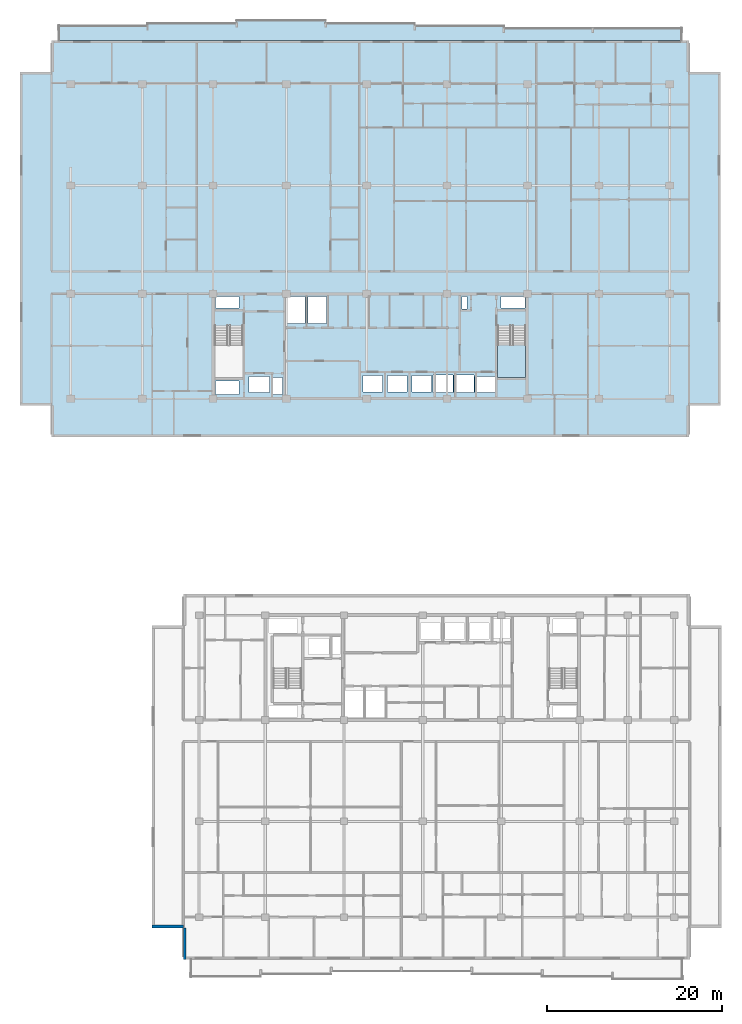
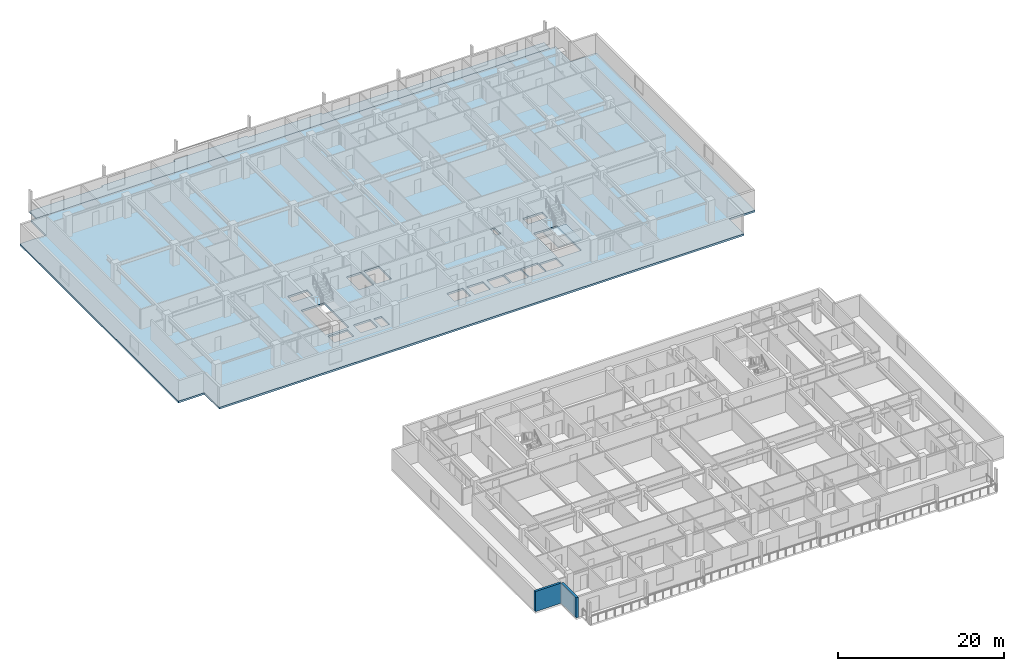
# One storey, part 3 of 22: 3 slabs, 2 walls, 1 element without a shape of its own.
"""IFC4 building model written with IfcOpenShell, lengths in metres."""

import ifcopenshell
import ifcopenshell.guid

model = None  # the IFC model being written
_history = None  # IfcOwnerHistory: only IFC2X3 demands one
_inside = {}  # id of a spatial element -> (the spatial element, [elements in it])
_under = {}  # id of a project, library or spatial element -> (it, [spatial elements below it])
_declared = {}  # id of a project -> (the project, [libraries it declares])
_typed = {}  # id of a type object -> (the type object, [elements of that type])
_made_of = {}  # id of a material, layer set ... -> (it, [elements and type objects made of it])


def new_model(schema):
    """Start an empty IFC model of exactly this schema.

    Asked for "IFC4X3", IfcOpenShell would pick the latest addendum, in which some entities
    have other attributes; the version numbers below select the first issue.
    IFC2X3 requires an IfcOwnerHistory on every rooted entity: one is made here for all.
    """
    global model, _history
    if schema == "IFC4X3":
        model = ifcopenshell.file(schema_version=(4, 3, 0, 0))
    else:
        model = ifcopenshell.file(schema=schema)
    _inside.clear()
    _under.clear()
    _declared.clear()
    _typed.clear()
    _made_of.clear()
    _history = None
    if model.schema == "IFC2X3":
        org = make("IfcOrganization", Name="unknown")
        user = make(
            "IfcPersonAndOrganization",
            ThePerson=make("IfcPerson", FamilyName="unknown"),
            TheOrganization=org,
        )
        app = make(
            "IfcApplication",
            ApplicationDeveloper=org,
            Version="unknown",
            ApplicationFullName="unknown",
            ApplicationIdentifier="unknown",
        )
        _history = make(
            "IfcOwnerHistory",
            OwningUser=user,
            OwningApplication=app,
            ChangeAction="ADDED",
            CreationDate=0,
        )
    return model


def make(cls, **values):
    """One entity of the class cls with the attributes given. An attribute that is None is left unset."""
    return model.create_entity(
        cls, **{name: value for name, value in values.items() if value is not None}
    )


def rooted(cls, **values):
    """An entity with a GlobalId (a new one), such as an element, a storey or a relation."""
    return make(cls, GlobalId=ifcopenshell.guid.new(), OwnerHistory=_history, **values)


def si_unit(unit_type, name, prefix=None):
    """IfcSIUnit, for example si_unit("LENGTHUNIT", "METRE", prefix="MILLI")."""
    return make("IfcSIUnit", UnitType=unit_type, Prefix=prefix, Name=name)


def assignment(units):
    """IfcUnitAssignment: the units of a project."""
    return None if units is None else make("IfcUnitAssignment", Units=units)


def point(xyz):
    """IfcCartesianPoint."""
    return None if xyz is None else make("IfcCartesianPoint", Coordinates=xyz)


def direction(xyz):
    """IfcDirection."""
    return None if xyz is None else make("IfcDirection", DirectionRatios=xyz)


def frame(location, z_axis=None, x_axis=None):
    """IfcAxis2Placement3D, a coordinate frame: its origin and axes. An axis left out is left unset."""
    return make(
        "IfcAxis2Placement3D",
        Location=point(location),
        Axis=direction(z_axis),
        RefDirection=direction(x_axis),
    )


def frame_2d(location, x_axis=None):
    """IfcAxis2Placement2D, a coordinate frame in the plane: its origin and x axis."""
    return make(
        "IfcAxis2Placement2D", Location=point(location), RefDirection=direction(x_axis)
    )


def origin():
    """The frame at (0, 0, 0) with its axes left unset."""
    return frame((0.0, 0.0, 0.0))


def place(relative_to, where):
    """IfcLocalPlacement: puts the frame where relative to a parent placement (None: the world)."""
    return make(
        "IfcLocalPlacement", PlacementRelTo=relative_to, RelativePlacement=where
    )


def context(
    kind, dimensions, precision=None, world=None, true_north=None, identifier=None
):
    """IfcGeometricRepresentationContext, for example the 3D "Model" context."""
    return make(
        "IfcGeometricRepresentationContext",
        ContextIdentifier=identifier,
        ContextType=kind,
        CoordinateSpaceDimension=dimensions,
        Precision=precision,
        WorldCoordinateSystem=world,
        TrueNorth=true_north,
    )


def subcontext(parent, identifier, kind, view, scale=None):
    """IfcGeometricRepresentationSubContext, for example "Body" below "Model"."""
    return make(
        "IfcGeometricRepresentationSubContext",
        ContextIdentifier=identifier,
        ContextType=kind,
        ParentContext=parent,
        TargetScale=scale,
        TargetView=view,
    )


def project(units=None, contexts=None):
    """IfcProject with its units and contexts."""
    return rooted(
        "IfcProject",
        Name="project",
        RepresentationContexts=contexts,
        UnitsInContext=assignment(units),
    )


def spatial(cls, under=None, at=None, **own):
    """A site, building, storey or space (cls), placed at a placement, below another one or the project."""
    s = rooted(cls, ObjectPlacement=at, **own)
    if under is not None:
        _under.setdefault(under.id(), (under, []))[1].append(s)
    return s


def polyline(points):
    """IfcPolyline through the points."""
    return make("IfcPolyline", Points=[point(p) for p in points])


def profile(cls, at=None, kind="AREA", **sizes):
    """A parametric profile (cls). Its sizes go by their IFC names, for example OverallWidth=200.0."""
    return make(cls, ProfileType=kind, Position=at, **sizes)


def rectangle(**sizes):
    """IfcRectangleProfileDef."""
    return profile("IfcRectangleProfileDef", **sizes)


def outline(outer, holes=None, kind="AREA"):
    """IfcArbitraryClosedProfileDef: a profile drawn as a closed curve; with holes, ...WithVoids."""
    if holes is None:
        return make("IfcArbitraryClosedProfileDef", ProfileType=kind, OuterCurve=outer)
    return make(
        "IfcArbitraryProfileDefWithVoids",
        ProfileType=kind,
        OuterCurve=outer,
        InnerCurves=holes,
    )


def extrude(swept, where, along, depth):
    """IfcExtrudedAreaSolid: the profile swept, set in the frame where, extruded along a direction by depth."""
    return make(
        "IfcExtrudedAreaSolid",
        SweptArea=swept,
        Position=where,
        ExtrudedDirection=direction(along),
        Depth=depth,
    )


def shape(context_of_items, identifier, shape_type, items):
    """IfcShapeRepresentation: the items that make up one representation, for example the "Body"."""
    return make(
        "IfcShapeRepresentation",
        ContextOfItems=context_of_items,
        RepresentationIdentifier=identifier,
        RepresentationType=shape_type,
        Items=items,
    )


def material(Name=None, Category=None):
    """IfcMaterial."""
    return make("IfcMaterial", Name=Name, Category=Category)


def layer(
    of_material, thickness, ventilated=None, Name=None, Category=None, Priority=None
):
    """IfcMaterialLayer: one layer of a wall or slab, of a material (None: an air gap)."""
    return make(
        "IfcMaterialLayer",
        Material=of_material,
        LayerThickness=thickness,
        IsVentilated=ventilated,
        Name=Name,
        Category=Category,
        Priority=Priority,
    )


def layer_set(layers, Name=None):
    """IfcMaterialLayerSet."""
    return make("IfcMaterialLayerSet", MaterialLayers=layers, LayerSetName=Name)


def made_of(thing, what):
    """Note that an element or type object is made of a material, layer set ...; save() writes the relation."""
    if what is not None:
        _made_of.setdefault(what.id(), (what, []))[1].append(thing)
    return thing


def type_object(cls, material=None, **own):
    """A type object (cls), such as IfcWallType, which elements share."""
    return made_of(rooted(cls, **own), material)


def element(
    cls,
    number,
    at=None,
    inside=None,
    cuts=None,
    type_object=None,
    material=None,
    context=None,
    identifier="Body",
    shape_type=None,
    held_by="IfcProductDefinitionShape",
    body=None,
    shapes=None,
    **own,
):
    """One element of the class cls, such as IfcWall. Its Tag is "e" and its number.

    at: its placement. inside: the storey or other place that contains it. cuts: it is an
    opening in that element (IfcRelVoidsElement). A single representation is given by context,
    identifier, shape_type and body (its items); several are given by shapes. held_by: the class
    of the entity that holds the representations. save() writes the other relations.
    """
    e = rooted(cls, Tag="e%d" % number, ObjectPlacement=at, **own)
    if body is not None:
        shapes = [shape(context, identifier, shape_type, body)]
    if shapes is not None:
        e.Representation = make(held_by, Representations=shapes)
    if inside is not None:
        _inside.setdefault(inside.id(), (inside, []))[1].append(e)
    if cuts is not None:
        rooted(
            "IfcRelVoidsElement", RelatingBuildingElement=cuts, RelatedOpeningElement=e
        )
    if type_object is not None:
        _typed.setdefault(type_object.id(), (type_object, []))[1].append(e)
    return made_of(e, material)


def aggregate(whole, parts):
    """IfcRelAggregates: a whole, such as a stair, and the parts it consists of."""
    return rooted("IfcRelAggregates", RelatingObject=whole, RelatedObjects=parts)


def save(model, path):
    """Write the relations noted so far, then the file.

    IfcRelAggregates (storeys below a building ...), IfcRelContainedInSpatialStructure (elements
    in a storey), IfcRelDefinesByType, IfcRelAssociatesMaterial and IfcRelDeclares: one each for
    every whole, place, type object, material and project.
    """
    for whole, parts in _under.values():
        aggregate(whole, parts)
    for where, things in _inside.values():
        rooted(
            "IfcRelContainedInSpatialStructure",
            RelatedElements=things,
            RelatingStructure=where,
        )
    for kind, things in _typed.values():
        rooted("IfcRelDefinesByType", RelatedObjects=things, RelatingType=kind)
    for what, things in _made_of.values():
        rooted("IfcRelAssociatesMaterial", RelatedObjects=things, RelatingMaterial=what)
    for by, libraries in _declared.values():
        rooted("IfcRelDeclares", RelatingContext=by, RelatedDefinitions=libraries)
    model.write(path)


model = new_model("IFC4")

# Units and contexts
model_context = context("Model", 3, precision=1e-05, world=origin(), true_north=direction((0.0, 1.0)))
body_context = subcontext(model_context, "Body", "Model", "MODEL_VIEW")
ifc_project = project(units=[si_unit("LENGTHUNIT", "METRE"), si_unit("AREAUNIT", "SQUARE_METRE"), si_unit("VOLUMEUNIT", "CUBIC_METRE"), si_unit("PLANEANGLEUNIT", "RADIAN"), si_unit("MASSUNIT", "GRAM", prefix="KILO")], contexts=[model_context])

# Site, building, storey
site_placement = place(None, origin())
site = spatial("IfcSite", under=ifc_project, at=site_placement, CompositionType="ELEMENT")
building_placement = place(site_placement, origin())
building = spatial("IfcBuilding", under=site, at=building_placement, Name="Korimba Cascade Residences", CompositionType="ELEMENT")
storey_placement = place(building_placement, frame((0.0, 0.0, 129.550048828125)))
storey = spatial("IfcBuildingStorey", under=building, at=storey_placement, Name="L37", CompositionType="ELEMENT", Elevation=129.550048828125)

# Stair, slab
ifc_material_1 = material(Name="Concrete C50/60", Category="concrete")
stair_type = type_object("IfcStairType", Name="STR-W2-18R-1806", PredefinedType="HALF_TURN_STAIR", material=ifc_material_1)
stair_placement = place(storey_placement, origin())
stair = element("IfcStair", 1, at=stair_placement, inside=storey, type_object=stair_type, Name="L37 Tower 1 East Fire Stair ST-W2", PredefinedType="HALF_TURN_STAIR")
ifc_layer_1 = layer(ifc_material_1, 0.199951171875)
ifc_layer_set_1 = layer_set([ifc_layer_1], Name="Concrete C50/60")
slab_type_1 = type_object("IfcSlabType", Name="SLB-LND-220", PredefinedType="LANDING", material=ifc_layer_set_1)
slab_1_placement = place(storey_placement, frame((0.0, 0.0, 1.425048828125)))
slab_1 = element("IfcSlab", 2, at=slab_1_placement, type_object=slab_type_1, Name="ST-W2 landing 1", PredefinedType="LANDING", context=body_context, shape_type="SweptSolid", body=[
    extrude(outline(polyline([(108.659912109375, 61.31005859375), (108.659912109375, 57.60009765625), (111.89990234375, 57.60009765625), (111.89990234375, 61.31005859375), (108.659912109375, 61.31005859375)])), origin(), (0.0, 0.0, 1.0), 0.199951171875),
])
aggregate(stair, [slab_1])

# Slabs
ifc_material_2 = material(Name="Precast concrete C40/50", Category="concrete")
ifc_layer_2 = layer(ifc_material_2, 0.239990234375)
ifc_layer_set_2 = layer_set([ifc_layer_2], Name="Precast concrete C40/50")
slab_type_2 = type_object("IfcSlabType", Name="SLB-LOG-240", PredefinedType="FLOOR", material=ifc_layer_set_2)
slab_2_placement = place(storey_placement, frame((0.0, 0.0, -0.239990234375)))
element("IfcSlab", 3, at=slab_2_placement, inside=storey, type_object=slab_type_2, Name="L37 Tower 1 North Loggia Slab", PredefinedType="FLOOR", context=body_context, shape_type="SweptSolid", body=[
    extrude(outline(polyline([(58.39990234375, 96.199951171875), (129.800048828125, 96.199951171875), (129.800048828125, 97.64990234375), (109.39990234375, 97.64990234375), (109.39990234375, 97.949951171875), (99.199951171875, 97.949951171875), (99.199951171875, 98.25), (89.0, 98.25), (89.0, 98.550048828125), (78.800048828125, 98.550048828125), (78.800048828125, 98.25), (68.60009765625, 98.25), (68.60009765625, 97.949951171875), (58.39990234375, 97.949951171875), (58.39990234375, 96.199951171875)])), origin(), (0.0, 0.0, 1.0), 0.239990234375),
])
ifc_layer_3 = layer(ifc_material_1, 0.280029296875)
ifc_layer_set_3 = layer_set([ifc_layer_3], Name="Concrete C50/60")
slab_type_3 = type_object("IfcSlabType", Name="SLB-TYP-280", PredefinedType="FLOOR", material=ifc_layer_set_3)
slab_3_placement = place(storey_placement, frame((0.0, 0.0, -0.280029296875)))
element("IfcSlab", 4, at=slab_3_placement, inside=storey, type_object=slab_type_3, Name="L37 Tower 1 Floor Slab", PredefinedType="FLOOR", context=body_context, shape_type="SweptSolid", body=[
    extrude(outline(polyline([(57.60009765625, 50.800048828125), (130.60009765625, 50.800048828125), (130.60009765625, 54.39990234375), (134.199951171875, 54.39990234375), (134.199951171875, 92.60009765625), (130.60009765625, 92.60009765625), (130.60009765625, 96.199951171875), (57.60009765625, 96.199951171875), (57.60009765625, 92.60009765625), (54.0, 92.60009765625), (54.0, 54.39990234375), (57.60009765625, 54.39990234375), (57.60009765625, 50.800048828125)]), holes=[polyline([(76.300048828125, 63.514892578125), (76.300048828125, 57.60009765625), (79.5400390625, 57.60009765625), (79.5400390625, 63.514892578125), (76.300048828125, 63.514892578125)]), polyline([(108.659912109375, 63.514892578125), (108.659912109375, 57.60009765625), (111.89990234375, 57.60009765625), (111.89990234375, 63.514892578125), (108.659912109375, 63.514892578125)]), polyline([(80.22998046875, 55.8798828125), (82.570068359375, 55.8798828125), (82.570068359375, 57.719970703125), (80.22998046875, 57.719970703125), (80.22998046875, 55.8798828125)]), polyline([(106.080078125, 55.8798828125), (108.419921875, 55.8798828125), (108.419921875, 57.719970703125), (106.080078125, 57.719970703125), (106.080078125, 55.8798828125)]), polyline([(93.280029296875, 55.97998046875), (95.52001953125, 55.97998046875), (95.52001953125, 57.820068359375), (93.280029296875, 57.820068359375), (93.280029296875, 55.97998046875)]), polyline([(96.080078125, 55.97998046875), (98.320068359375, 55.97998046875), (98.320068359375, 57.820068359375), (96.080078125, 57.820068359375), (96.080078125, 55.97998046875)]), polyline([(98.8798828125, 55.97998046875), (101.1201171875, 55.97998046875), (101.1201171875, 57.820068359375), (98.8798828125, 57.820068359375), (98.8798828125, 55.97998046875)]), polyline([(101.304931640625, 55.8798828125), (103.594970703125, 55.8798828125), (103.594970703125, 57.919921875), (101.304931640625, 57.919921875), (101.304931640625, 55.8798828125)]), polyline([(103.705078125, 55.8798828125), (105.9951171875, 55.8798828125), (105.9951171875, 57.919921875), (103.705078125, 57.919921875), (103.705078125, 55.8798828125)]), polyline([(82.97998046875, 55.679931640625), (84.080078125, 55.679931640625), (84.080078125, 57.6201171875), (82.97998046875, 57.6201171875), (82.97998046875, 55.679931640625)]), polyline([(76.39990234375, 65.56005859375), (79.10009765625, 65.56005859375), (79.10009765625, 66.8798828125), (76.39990234375, 66.8798828125), (76.39990234375, 65.56005859375)]), polyline([(76.39990234375, 55.679931640625), (79.10009765625, 55.679931640625), (79.10009765625, 57.239990234375), (76.39990234375, 57.239990234375), (76.39990234375, 55.679931640625)]), polyline([(84.530029296875, 63.820068359375), (86.6201171875, 63.820068359375), (86.6201171875, 66.8798828125), (84.530029296875, 66.8798828125), (84.530029296875, 63.820068359375)]), polyline([(86.97998046875, 63.820068359375), (89.070068359375, 63.820068359375), (89.070068359375, 66.8798828125), (86.97998046875, 66.8798828125), (86.97998046875, 63.820068359375)]), polyline([(104.6201171875, 65.4599609375), (105.179931640625, 65.4599609375), (105.179931640625, 66.8798828125), (104.6201171875, 66.8798828125), (104.6201171875, 65.4599609375)]), polyline([(109.080078125, 65.56005859375), (111.800048828125, 65.56005859375), (111.800048828125, 66.8798828125), (109.080078125, 66.8798828125), (109.080078125, 65.56005859375)])]), origin(), (0.0, 0.0, 1.0), 0.280029296875),
])

# Walls
ifc_layer_4 = layer(ifc_material_2, 0.300048828125)
ifc_layer_set_4 = layer_set([ifc_layer_4], Name="Precast concrete C40/50")
wall_type = type_object("IfcWallType", Name="EW-STONE-300", PredefinedType="STANDARD", material=ifc_layer_set_4)
wall_1_placement = place(storey_placement, frame((69.10009765625, -5.25, 0.0), z_axis=(0.0, 0.0, 1.0), x_axis=(1.0, 0.0, 0.0)))
element("IfcWall", 5, at=wall_1_placement, inside=storey, type_object=wall_type, Name="L37 T2 Perimeter Stone Wall E10", PredefinedType="STANDARD", context=body_context, shape_type="SweptSolid", body=[
    extrude(rectangle(XDim=3.599853515625, YDim=0.300048828125, at=frame_2d((1.7998046875, 0.0))), origin(), (0.0, 0.0, 1.0), 2.969970703125),
])
wall_2_placement = place(storey_placement, frame((72.85009765625, -5.39990234375, 0.0), z_axis=(0.0, 0.0, 1.0), x_axis=(0.0, -1.0, 0.0)))
element("IfcWall", 6, at=wall_2_placement, inside=storey, type_object=wall_type, Name="L37 T2 Perimeter Stone Wall E11", PredefinedType="STANDARD", context=body_context, shape_type="SweptSolid", body=[
    extrude(rectangle(XDim=3.60009765625, YDim=0.300048828125, at=frame_2d((1.800048828125, 0.0))), origin(), (0.0, 0.0, 1.0), 2.969970703125),
])

save(model, "model.ifc")
